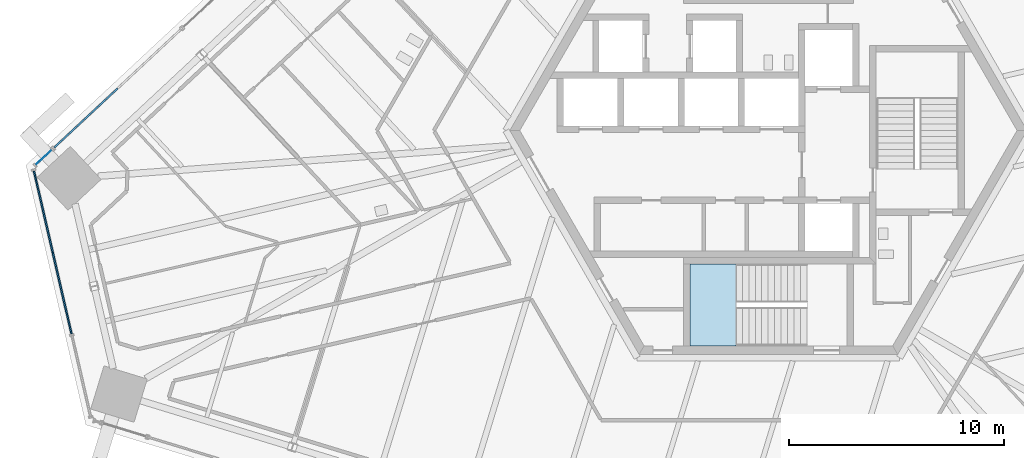
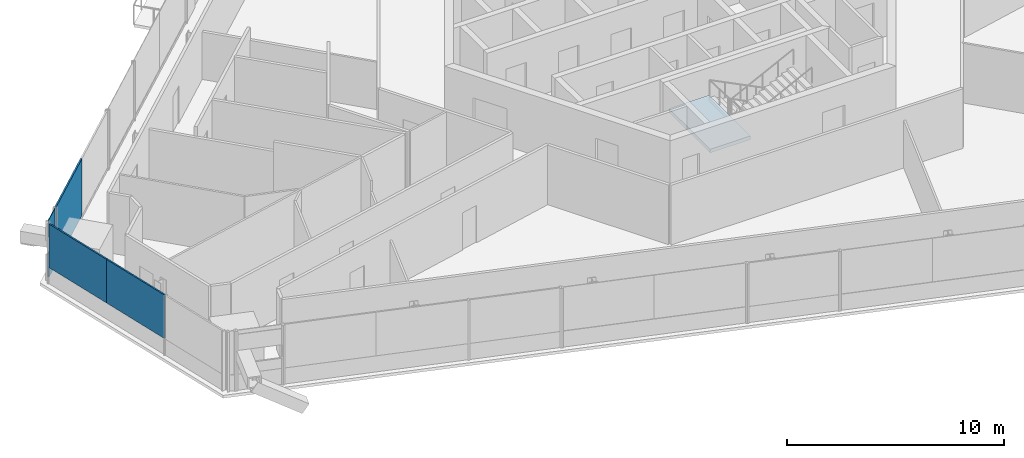
# One storey, part 14 of 25: 5 plates, 1 slab, 5 elements without a shape of their own.
"""IFC4 building model written with IfcOpenShell, lengths in metres."""

from ifc_helpers import new_model, si_unit, direction, frame, origin, origin_2d, place, context, subcontext, project, spatial, polyline, rectangle, outline, extrude, source, transform, mapped, material, layer, layer_set, type_object, element, aggregate, save


model = new_model("IFC4")

# Units and contexts
model_context = context("Model", 3, precision=1e-05, world=origin(), true_north=direction((0.0, 1.0)))
body_context = subcontext(model_context, "Body", "Model", "MODEL_VIEW")
ifc_project = project(units=[si_unit("LENGTHUNIT", "METRE"), si_unit("AREAUNIT", "SQUARE_METRE"), si_unit("VOLUMEUNIT", "CUBIC_METRE"), si_unit("PLANEANGLEUNIT", "RADIAN"), si_unit("MASSUNIT", "GRAM", prefix="KILO")], contexts=[model_context])

# Site, building, storey
site_placement = place(None, origin())
site = spatial("IfcSite", under=ifc_project, at=site_placement, CompositionType="ELEMENT")
building_placement = place(site_placement, origin())
building = spatial("IfcBuilding", under=site, at=building_placement, Name="Triune Harvest Tower", CompositionType="ELEMENT")
storey_placement = place(building_placement, frame((0.0, 0.0, 130.699951171875)))
storey = spatial("IfcBuildingStorey", under=building, at=storey_placement, Name="L33", CompositionType="ELEMENT", Elevation=130.699951171875)

# Curtain wall, plate
ifc_material_1 = material(Name="Aluminium bronze anodised", Category="aluminium")
curtain_wall_type_1 = type_object("IfcCurtainWallType", Name="CW-6 Balcony window wall", PredefinedType="NOTDEFINED", material=ifc_material_1)
curtain_wall_1_placement = place(storey_placement, origin())
curtain_wall_1 = element("IfcCurtainWall", 1, at=curtain_wall_1_placement, inside=storey, type_object=curtain_wall_type_1, Name="CW-6 B3-F3 L33 run 202")
ifc_material_2 = material(Name="Glass", Category="glass")
ifc_layer_1 = layer(ifc_material_2, 0.030029296875)
ifc_layer_set_1 = layer_set([ifc_layer_1], Name="Glass")
plate_type_1 = type_object("IfcPlateType", Name="GL-6 panel 30", PredefinedType="CURTAIN_PANEL", material=ifc_layer_set_1)
plate_1_placement = place(storey_placement, frame((-33.629150390625, -1.245361328125, 2.384765625), z_axis=(0.0, 0.0, 1.0), x_axis=(-0.73138155216, -0.681968492791, 0.0)))
plate_1 = element("IfcPlate", 2, at=plate_1_placement, type_object=plate_type_1, Name="CW-6 panel B3-F3 202.1", PredefinedType="CURTAIN_PANEL", context=body_context, shape_type="SweptSolid", body=[
    extrude(rectangle(XDim=1.021728515625, YDim=0.030029296875, at=origin_2d()), origin(), (0.0, 0.0, 1.0), 0.965087890625),
])
aggregate(curtain_wall_1, [plate_1])

ifc_material_3 = material(Name="Aluminium bronze anodised", Category="aluminium")
curtain_wall_type_2 = type_object("IfcCurtainWallType", Name="CW-10 Balcony window wall with insulated spandrel infill", PredefinedType="NOTDEFINED", material=ifc_material_3)
curtain_wall_2_placement = place(storey_placement, origin())
curtain_wall_2 = element("IfcCurtainWall", 3, at=curtain_wall_2_placement, inside=storey, type_object=curtain_wall_type_2, Name="CW-10 B3-F3 L33 run 102")
ifc_material_4 = material(Name="Insulated spandrel panel, bronze aluminium pan", Category="aluminium")
ifc_layer_2 = layer(ifc_material_4, 0.080078125)
ifc_layer_set_2 = layer_set([ifc_layer_2], Name="Insulated spandrel panel, bronze aluminium pan")
plate_type_2 = type_object("IfcPlateType", Name="SP-1 insulated spandrel panel 80", PredefinedType="CURTAIN_PANEL", material=ifc_layer_set_2)
plate_2_placement = place(storey_placement, frame((-33.629150390625, -1.245361328125, 0.150146484375), z_axis=(0.0, 0.0, 1.0), x_axis=(-0.73138155216, -0.681968492791, 0.0)))
plate_2 = element("IfcPlate", 4, at=plate_2_placement, type_object=plate_type_2, Name="CW-10 panel B3-F3 102.1", PredefinedType="CURTAIN_PANEL", context=body_context, shape_type="SweptSolid", body=[
    extrude(rectangle(XDim=1.021728515625, YDim=0.080078125, at=origin_2d()), origin(), (0.0, 0.0, 1.0), 1.31494140625),
])
aggregate(curtain_wall_2, [plate_2])

# Stair, slab
ifc_material_5 = material(Name="Concrete 40 MPa", Category="concrete")
stair_type = type_object("IfcStairType", Name="Exit stair 1800 half turn", PredefinedType="HALF_TURN_STAIR", material=ifc_material_5)
stair_placement = place(storey_placement, origin())
stair = element("IfcStair", 5, at=stair_placement, inside=storey, type_object=stair_type, Name="Exit stair south", PredefinedType="HALF_TURN_STAIR")
ifc_material_6 = material(Name="Concrete 40 MPa", Category="concrete")
ifc_layer_3 = layer(ifc_material_6, 0.199951171875)
ifc_layer_set_3 = layer_set([ifc_layer_3], Name="Concrete 40 MPa")
slab_type = type_object("IfcSlabType", Name="Stair landing 200", PredefinedType="LANDING", material=ifc_layer_set_3)
shared_shape_1 = source(origin(), body_context, "Body", "SweptSolid", [
    extrude(outline(polyline([(-1.510009765625, -6.18994140625), (-3.64990234375, -6.18994140625), (-3.64990234375, -9.989990234375), (-1.510009765625, -9.989990234375), (-1.510009765625, -6.18994140625)])), origin(), (0.0, 0.0, 1.0), 0.199951171875),
])
slab_placement = place(storey_placement, frame((0.0, 0.0, 1.60009765625)))
slab = element("IfcSlab", 6, at=slab_placement, type_object=slab_type, Name="ST-2 landing 2", PredefinedType="LANDING", context=body_context, shape_type="MappedRepresentation", body=[
    mapped(shared_shape_1, transform((0.0, 0.0, 0.0), scale=1.0)),
])
aggregate(stair, [slab])

# Curtain wall, plates
ifc_material_7 = material(Name="Aluminium bronze anodised", Category="aluminium")
curtain_wall_type_3 = type_object("IfcCurtainWallType", Name="CW-7 Tower stick curtain wall with insulated spandrel infill", PredefinedType="NOTDEFINED", material=ifc_material_7)
curtain_wall_3_placement = place(storey_placement, origin())
curtain_wall_3 = element("IfcCurtainWall", 7, at=curtain_wall_3_placement, inside=storey, type_object=curtain_wall_type_3, Name="CW-7 B3-F4 L33 run 1")
shared_shape_2 = source(origin(), body_context, "Body", "SweptSolid", [
    extrude(rectangle(XDim=3.8740234375, YDim=0.080078125, at=origin_2d()), origin(), (0.0, 0.0, 1.0), 2.449951171875),
])
plate_3_placement = place(storey_placement, frame((-33.650634765625, -3.75439453125, 0.89990234375), z_axis=(0.0, 0.0, 1.0), x_axis=(0.224946950683, -0.974371012181, 0.0)))
plate_3 = element("IfcPlate", 8, at=plate_3_placement, type_object=plate_type_2, Name="CW-7 panel B3-F4 1.1", PredefinedType="CURTAIN_PANEL", context=body_context, shape_type="MappedRepresentation", body=[
    mapped(shared_shape_2, transform((0.0, 0.0, 0.0), scale=1.0)),
])
shared_shape_3 = source(origin(), body_context, "Body", "SweptSolid", [
    extrude(rectangle(XDim=3.911376953125, YDim=0.080078125, at=origin_2d()), origin(), (0.0, 0.0, 1.0), 2.449951171875),
])
plate_4_placement = place(storey_placement, frame((-32.77490234375, -7.54736328125, 0.89990234375), z_axis=(0.0, 0.0, 1.0), x_axis=(0.224946950683, -0.974371012181, 0.0)))
plate_4 = element("IfcPlate", 9, at=plate_4_placement, type_object=plate_type_2, Name="CW-7 panel B3-F4 1.2", PredefinedType="CURTAIN_PANEL", context=body_context, shape_type="MappedRepresentation", body=[
    mapped(shared_shape_3, transform((0.0, 0.0, 0.0), scale=1.0)),
])
aggregate(curtain_wall_3, [plate_3, plate_4])

# Curtain wall, plate
curtain_wall_4_placement = place(storey_placement, origin())
curtain_wall_4 = element("IfcCurtainWall", 10, at=curtain_wall_4_placement, inside=storey, type_object=curtain_wall_type_2, Name="CW-10 B3-F3 L33 run 1002")
shared_shape_4 = source(origin(), body_context, "Body", "SweptSolid", [
    extrude(rectangle(XDim=4.026123046875, YDim=0.080078125, at=origin_2d()), origin(), (0.0, 0.0, 1.0), 3.199951171875),
])
plate_5_placement = place(storey_placement, frame((-31.673583984375, 0.578125, 0.14990234375), z_axis=(0.0, 0.0, 1.0), x_axis=(-0.731352789185, -0.681999338527, 0.0)))
plate_5 = element("IfcPlate", 11, at=plate_5_placement, type_object=plate_type_2, Name="CW-10 panel B3-F3 1002.2", PredefinedType="CURTAIN_PANEL", context=body_context, shape_type="MappedRepresentation", body=[
    mapped(shared_shape_4, transform((0.0, 0.0, 0.0), scale=1.0)),
])
aggregate(curtain_wall_4, [plate_5])

save(model, "model.ifc")
